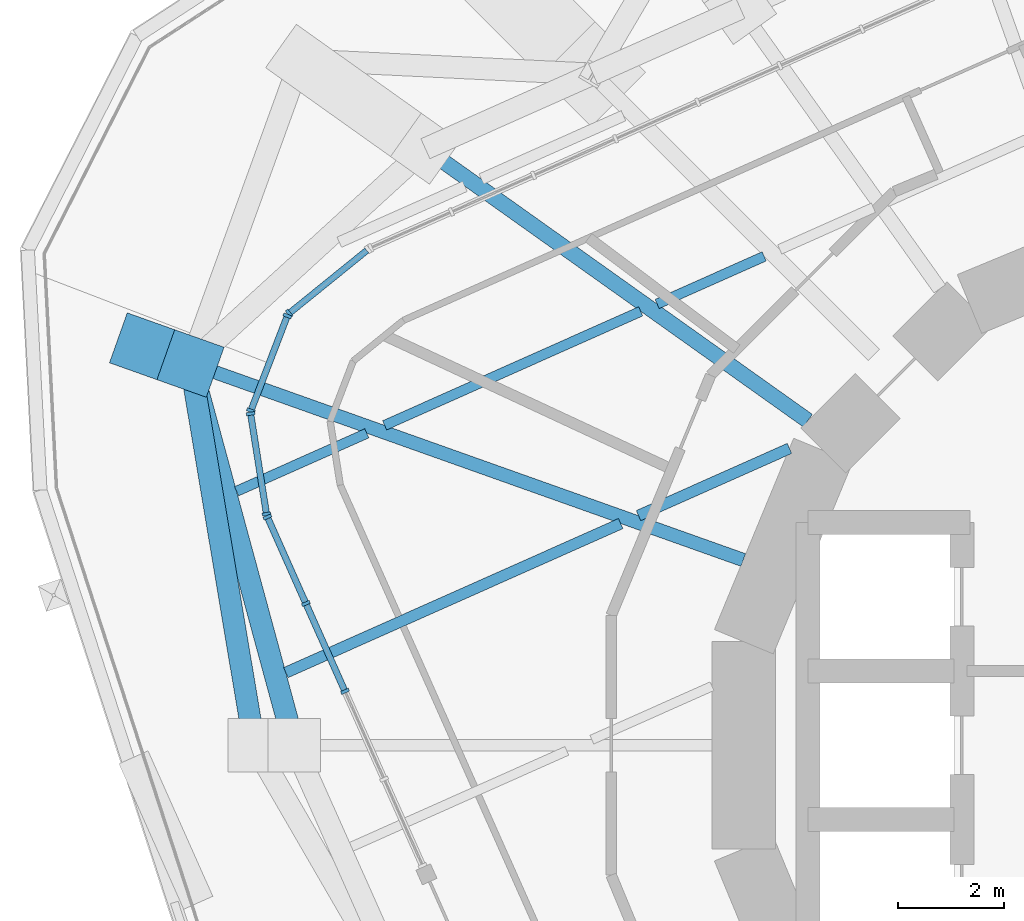
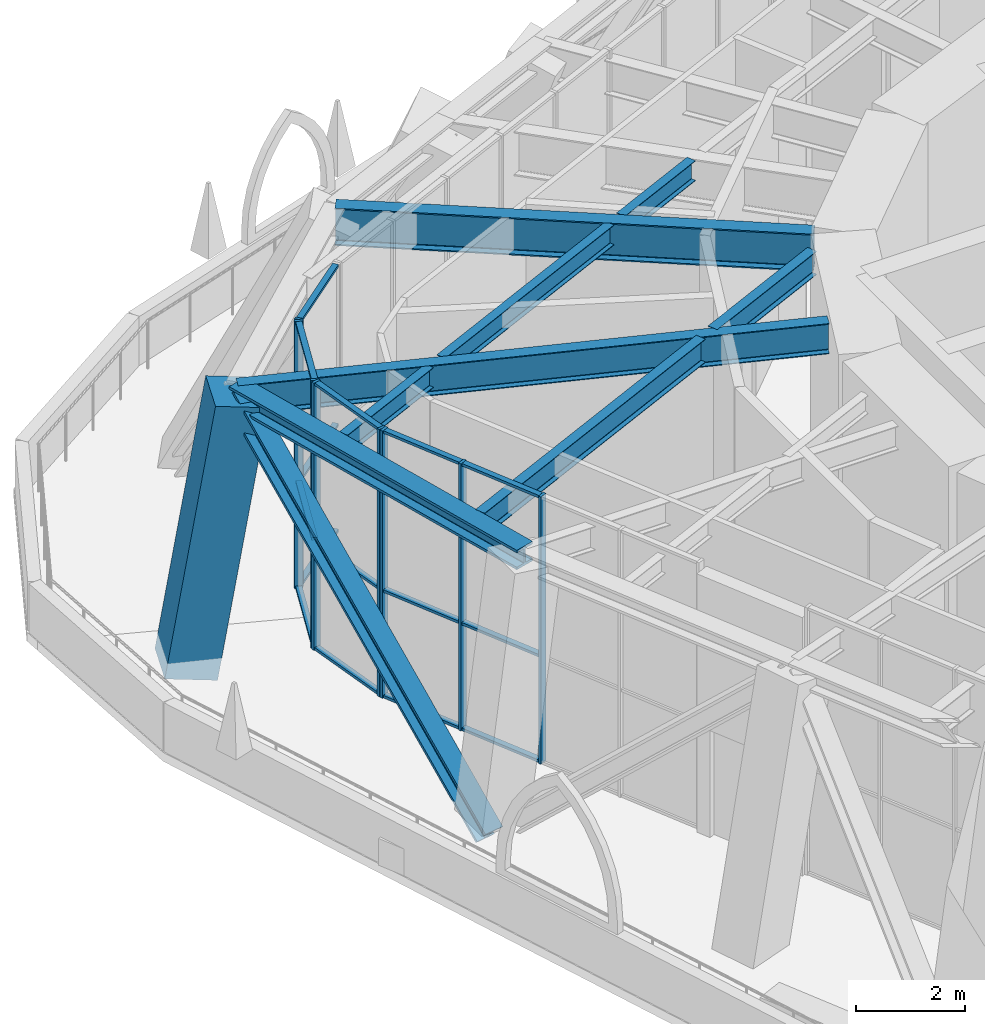
# One storey, part 4 of 18: 26 members, 7 beams, 4 elements without a shape of their own.
"""IFC4 building model written with IfcOpenShell, lengths in metres."""

from ifc_helpers import new_model, si_unit, direction, frame, origin, origin_2d, place, context, subcontext, project, spatial, rectangle, i_section, extrude, material, material_profile, profile_set, type_object, element, aggregate, save


model = new_model("IFC4")

# Units and contexts
model_context = context("Model", 3, precision=1e-05, world=origin(), true_north=direction((0.0, 1.0)))
body_context = subcontext(model_context, "Body", "Model", "MODEL_VIEW")
ifc_project = project(units=[si_unit("LENGTHUNIT", "METRE"), si_unit("AREAUNIT", "SQUARE_METRE"), si_unit("VOLUMEUNIT", "CUBIC_METRE"), si_unit("PLANEANGLEUNIT", "RADIAN"), si_unit("MASSUNIT", "GRAM", prefix="KILO")], contexts=[model_context])

# Site, building, storey
site_placement = place(None, origin())
site = spatial("IfcSite", under=ifc_project, at=site_placement, CompositionType="ELEMENT")
building_placement = place(site_placement, origin())
building = spatial("IfcBuilding", under=site, at=building_placement, Name="Nakasero Lantern House", CompositionType="ELEMENT")
storey_placement = place(building_placement, frame((0.0, 0.0, 176.449951171875)))
storey = spatial("IfcBuildingStorey", under=building, at=storey_placement, Name="L43", CompositionType="ELEMENT", Elevation=176.449951171875)

# Members
ifc_material_1 = material(Name="Steel S355", Category="steel")
ifc_material_profile_1 = material_profile(ifc_material_1, i_section(OverallWidth=0.412109375, OverallDepth=0.4365234375, WebThickness=0.035888671875, FlangeThickness=0.05810546875, FilletRadius=0.01513671875, at=origin_2d()), Name="UC 356x406x467")
ifc_profile_set_1 = profile_set([ifc_material_profile_1], Name="Steel S355")
member_type_1 = type_object("IfcMemberType", Name="Belt truss chord UC 356x406x467", PredefinedType="CHORD", material=ifc_profile_set_1)
member_1_placement = place(storey_placement, frame((-20.2353515625, 7.19482421875, 5.581787109375), z_axis=(0.26219461312, -0.965015017941, 0.0), x_axis=(0.965015017941, 0.26219461312, 0.0)))
element("IfcMember", 1, at=member_1_placement, inside=storey, type_object=member_type_1, Name="Belt truss top chord T4 B5-C14T", PredefinedType="CHORD", context=body_context, shape_type="SweptSolid", body=[
    extrude(i_section(OverallWidth=0.412109375, OverallDepth=0.4365234375, WebThickness=0.035888671875, FlangeThickness=0.05810546875, FilletRadius=0.01513671875, at=origin_2d()), origin(), (0.0, 0.0, 1.0), 7.45556640625),
])
ifc_material_2 = material(Name="Steel S355", Category="steel")
ifc_material_profile_2 = material_profile(ifc_material_2, i_section(OverallWidth=0.412109375, OverallDepth=0.4365234375, WebThickness=0.035888671875, FlangeThickness=0.05810546875, FilletRadius=0.01513671875, at=origin_2d()), Name="UC 356x406x467")
ifc_profile_set_2 = profile_set([ifc_material_profile_2], Name="Steel S355")
member_type_2 = type_object("IfcMemberType", Name="Belt truss diagonal UC 356x406x467", PredefinedType="BRACE", material=ifc_profile_set_2)
member_2_placement = place(storey_placement, frame((-20.2353515625, 7.19482421875, 5.581787109375), z_axis=(0.127454941735, -0.761731318786, -0.635232741448), x_axis=(0.986288797628, 0.165028505636, 0.0)))
element("IfcMember", 2, at=member_2_placement, inside=storey, type_object=member_type_2, Name="Belt truss diagonal T4-14", PredefinedType="BRACE", context=body_context, shape_type="SweptSolid", body=[
    extrude(i_section(OverallWidth=0.412109375, OverallDepth=0.4365234375, WebThickness=0.035888671875, FlangeThickness=0.05810546875, FilletRadius=0.01513671875, at=origin_2d()), origin(), (0.0, 0.0, 1.0), 9.4453125),
])

# Beams
ifc_material_3 = material(Name="Steel S355", Category="steel")
ifc_material_profile_3 = material_profile(ifc_material_3, i_section(OverallWidth=0.18994140625, OverallDepth=0.453369140625, WebThickness=0.008544921875, FlangeThickness=0.0126953125, FilletRadius=0.01025390625, at=origin_2d()), Name="UB 457x191x67")
ifc_profile_set_3 = profile_set([ifc_material_profile_3], Name="Steel S355")
beam_type_1 = type_object("IfcBeamType", Name="Infill beam UB 457x191x67", PredefinedType="JOIST", material=ifc_profile_set_3)
beam_1_placement = place(storey_placement, frame((-19.367431640625, 4.786376953125, 5.5732421875), z_axis=(0.913560273348, 0.406703364826, 0.0), x_axis=(-0.406703364826, 0.913560273348, 0.0)))
element("IfcBeam", 3, at=beam_1_placement, inside=storey, type_object=beam_type_1, Name="Infill beam L44 11.1", PredefinedType="JOIST", context=body_context, shape_type="SweptSolid", body=[
    extrude(i_section(OverallWidth=0.18994140625, OverallDepth=0.453369140625, WebThickness=0.008544921875, FlangeThickness=0.0126953125, FilletRadius=0.01025390625, at=origin_2d()), origin(), (0.0, 0.0, 1.0), 2.686279296875),
])
beam_2_placement = place(storey_placement, frame((-16.5771484375, 6.02880859375, 5.5732421875), z_axis=(0.9135521585, 0.406721592371, 0.0), x_axis=(-0.406721592371, 0.9135521585, 0.0)))
element("IfcBeam", 4, at=beam_2_placement, inside=storey, type_object=beam_type_1, Name="Infill beam L44 11.2", PredefinedType="JOIST", context=body_context, shape_type="SweptSolid", body=[
    extrude(i_section(OverallWidth=0.18994140625, OverallDepth=0.453369140625, WebThickness=0.008544921875, FlangeThickness=0.0126953125, FilletRadius=0.01025390625, at=origin_2d()), origin(), (0.0, 0.0, 1.0), 5.2822265625),
])
beam_3_placement = place(storey_placement, frame((-11.441162109375, 8.3154296875, 5.5732421875), z_axis=(0.913574167695, 0.406672153118, 0.0), x_axis=(-0.406672153118, 0.913574167695, 0.0)))
element("IfcBeam", 5, at=beam_3_placement, inside=storey, type_object=beam_type_1, Name="Infill beam L44 11.3", PredefinedType="JOIST", context=body_context, shape_type="SweptSolid", body=[
    extrude(i_section(OverallWidth=0.18994140625, OverallDepth=0.453369140625, WebThickness=0.008544921875, FlangeThickness=0.0126953125, FilletRadius=0.01025390625, at=origin_2d()), origin(), (0.0, 0.0, 1.0), 2.206787109375),
])
ifc_material_4 = material(Name="Steel S355", Category="steel")
ifc_material_profile_4 = material_profile(ifc_material_4, i_section(OverallWidth=0.208740234375, OverallDepth=0.5283203125, WebThickness=0.009521484375, FlangeThickness=0.01318359375, FilletRadius=0.0126953125, at=origin_2d()), Name="UB 533x210x82")
ifc_profile_set_4 = profile_set([ifc_material_profile_4], Name="Steel S355")
beam_type_2 = type_object("IfcBeamType", Name="Infill beam UB 533x210x82", PredefinedType="JOIST", material=ifc_profile_set_4)
beam_4_placement = place(storey_placement, frame((-18.438720703125, 1.36865234375, 5.535888671875), z_axis=(0.913544608814, 0.40673854957, 0.0), x_axis=(-0.40673854957, 0.913544608814, 0.0)))
element("IfcBeam", 6, at=beam_4_placement, inside=storey, type_object=beam_type_2, Name="Infill beam L44 10.1", PredefinedType="JOIST", context=body_context, shape_type="SweptSolid", body=[
    extrude(i_section(OverallWidth=0.208740234375, OverallDepth=0.5283203125, WebThickness=0.009521484375, FlangeThickness=0.01318359375, FilletRadius=0.0126953125, at=origin_2d()), origin(), (0.0, 0.0, 1.0), 6.906982421875),
])
beam_5_placement = place(storey_placement, frame((-11.792724609375, 4.32763671875, 5.535888671875), z_axis=(0.913555928833, 0.406713123582, 0.0), x_axis=(-0.406713123582, 0.913555928833, 0.0)))
element("IfcBeam", 7, at=beam_5_placement, inside=storey, type_object=beam_type_2, Name="Infill beam L44 10.2", PredefinedType="JOIST", context=body_context, shape_type="SweptSolid", body=[
    extrude(i_section(OverallWidth=0.208740234375, OverallDepth=0.5283203125, WebThickness=0.009521484375, FlangeThickness=0.01318359375, FilletRadius=0.0126953125, at=origin_2d()), origin(), (0.0, 0.0, 1.0), 3.113525390625),
])

# Curtain wall, member
ifc_material_5 = material(Name="Aluminium 6063-T6 and glass", Category="aluminium")
curtain_wall_type = type_object("IfcCurtainWallType", Name="Sky lounge glazing CW-3", PredefinedType="USERDEFINED", material=ifc_material_5)
curtain_wall_1_placement = place(storey_placement, origin())
curtain_wall_1 = element("IfcCurtainWall", 8, at=curtain_wall_1_placement, inside=storey, type_object=curtain_wall_type, Name="Curtain wall CW-3 L43", ObjectType="STICK CURTAIN WALL", PredefinedType="USERDEFINED")
ifc_material_6 = material(Name="Aluminium 6063-T6", Category="aluminium")
ifc_material_profile_5 = material_profile(ifc_material_6, rectangle(XDim=0.06005859375, YDim=0.159912109375, at=origin_2d()), Name="CW-3 mullion 60x160")
ifc_profile_set_5 = profile_set([ifc_material_profile_5], Name="Aluminium 6063-T6")
member_type_3 = type_object("IfcMemberType", Name="Mullion CW-3", PredefinedType="MULLION", material=ifc_profile_set_5)
member_3_placement = place(storey_placement, frame((-18.376708984375, 8.13916015625, 0.0), z_axis=(0.0, 0.0, 1.0), x_axis=(-0.777145961457, -0.62932039105, 0.0)))
member_3 = element("IfcMember", 9, at=member_3_placement, type_object=member_type_3, Name="CW-3 mullion 2", PredefinedType="MULLION", context=body_context, shape_type="SweptSolid", body=[
    extrude(rectangle(XDim=0.06005859375, YDim=0.159912109375, at=origin_2d()), origin(), (0.0, 0.0, 1.0), 6.0),
])

# Curtain wall, members
curtain_wall_2_placement = place(storey_placement, origin())
curtain_wall_2 = element("IfcCurtainWall", 10, at=curtain_wall_2_placement, inside=storey, type_object=curtain_wall_type, Name="Curtain wall CW-3 L43", ObjectType="STICK CURTAIN WALL", PredefinedType="USERDEFINED")
member_4_placement = place(storey_placement, frame((-18.410888671875, 8.09228515625, 0.0), z_axis=(0.0, 0.0, 1.0), x_axis=(-0.358367949545, -0.933580426497, 0.0)))
member_4 = element("IfcMember", 11, at=member_4_placement, type_object=member_type_3, Name="CW-3 mullion 1", PredefinedType="MULLION", context=body_context, shape_type="SweptSolid", body=[
    extrude(rectangle(XDim=0.06005859375, YDim=0.159912109375, at=origin_2d()), origin(), (0.0, 0.0, 1.0), 6.0),
])
member_5_placement = place(storey_placement, frame((-19.0966796875, 6.3056640625, 0.0), z_axis=(0.0, 0.0, 1.0), x_axis=(-0.358367949545, -0.933580426497, 0.0)))
member_5 = element("IfcMember", 12, at=member_5_placement, type_object=member_type_3, Name="CW-3 mullion 2", PredefinedType="MULLION", context=body_context, shape_type="SweptSolid", body=[
    extrude(rectangle(XDim=0.06005859375, YDim=0.159912109375, at=origin_2d()), origin(), (0.0, 0.0, 1.0), 6.0),
])

curtain_wall_3_placement = place(storey_placement, origin())
curtain_wall_3 = element("IfcCurtainWall", 13, at=curtain_wall_3_placement, inside=storey, type_object=curtain_wall_type, Name="Curtain wall CW-3 L43", ObjectType="STICK CURTAIN WALL", PredefinedType="USERDEFINED")
member_6_placement = place(storey_placement, frame((-19.102783203125, 6.247802734375, 0.0), z_axis=(0.0, 0.0, 1.0), x_axis=(0.15643446504, -0.987688340595, 0.0)))
member_6 = element("IfcMember", 14, at=member_6_placement, type_object=member_type_3, Name="CW-3 mullion 1", PredefinedType="MULLION", context=body_context, shape_type="SweptSolid", body=[
    extrude(rectangle(XDim=0.06005859375, YDim=0.159912109375, at=origin_2d()), origin(), (0.0, 0.0, 1.0), 6.0),
])
member_7_placement = place(storey_placement, frame((-18.80322265625, 4.357666015625, 0.0), z_axis=(0.0, 0.0, 1.0), x_axis=(0.15643446504, -0.987688340595, 0.0)))
member_7 = element("IfcMember", 15, at=member_7_placement, type_object=member_type_3, Name="CW-3 mullion 2", PredefinedType="MULLION", context=body_context, shape_type="SweptSolid", body=[
    extrude(rectangle(XDim=0.06005859375, YDim=0.159912109375, at=origin_2d()), origin(), (0.0, 0.0, 1.0), 6.0),
])

curtain_wall_4_placement = place(storey_placement, origin())
curtain_wall_4 = element("IfcCurtainWall", 16, at=curtain_wall_4_placement, inside=storey, type_object=curtain_wall_type, Name="Curtain wall CW-3 L43", ObjectType="STICK CURTAIN WALL", PredefinedType="USERDEFINED")
member_8_placement = place(storey_placement, frame((-18.786376953125, 4.30078125, 0.0), z_axis=(0.0, 0.0, 1.0), x_axis=(0.406736643076, -0.913545457643, 0.0)))
member_8 = element("IfcMember", 17, at=member_8_placement, type_object=member_type_3, Name="CW-3 mullion 1", PredefinedType="MULLION", context=body_context, shape_type="SweptSolid", body=[
    extrude(rectangle(XDim=0.06005859375, YDim=0.159912109375, at=origin_2d()), origin(), (0.0, 0.0, 1.0), 6.0),
])
member_9_placement = place(storey_placement, frame((-18.0615234375, 2.67236328125, 0.0), z_axis=(0.0, 0.0, 1.0), x_axis=(0.406736643076, -0.913545457643, 0.0)))
member_9 = element("IfcMember", 18, at=member_9_placement, type_object=member_type_3, Name="CW-3 mullion 2", PredefinedType="MULLION", context=body_context, shape_type="SweptSolid", body=[
    extrude(rectangle(XDim=0.06005859375, YDim=0.159912109375, at=origin_2d()), origin(), (0.0, 0.0, 1.0), 6.0),
])
member_10_placement = place(storey_placement, frame((-17.32421875, 1.0166015625, 0.0), z_axis=(0.0, 0.0, 1.0), x_axis=(0.406736643076, -0.913545457643, 0.0)))
member_10 = element("IfcMember", 19, at=member_10_placement, type_object=member_type_3, Name="CW-3 mullion 3", PredefinedType="MULLION", context=body_context, shape_type="SweptSolid", body=[
    extrude(rectangle(XDim=0.06005859375, YDim=0.159912109375, at=origin_2d()), origin(), (0.0, 0.0, 1.0), 6.0),
])

# Beams
ifc_material_7 = material(Name="Steel S355", Category="steel")
ifc_material_profile_6 = material_profile(ifc_material_7, i_section(OverallWidth=0.253662109375, OverallDepth=0.68359375, WebThickness=0.012451171875, FlangeThickness=0.01904296875, FilletRadius=0.01513671875, at=origin_2d()), Name="UB 686x254x140")
ifc_profile_set_6 = profile_set([ifc_material_profile_6], Name="Steel S355")
beam_type_3 = type_object("IfcBeamType", Name="Primary beam UB 686x254x140, span 9 to 12 m", PredefinedType="BEAM", material=ifc_profile_set_6)
beam_6_placement = place(storey_placement, frame((-20.2353515625, 7.19482421875, 5.458251953125), z_axis=(0.942210662535, -0.335020995468, 0.0), x_axis=(0.335020995468, 0.942210662535, 0.0)))
element("IfcBeam", 20, at=beam_6_placement, inside=storey, type_object=beam_type_3, Name="Primary beam L44 B5-C14T", PredefinedType="BEAM", context=body_context, shape_type="SweptSolid", body=[
    extrude(i_section(OverallWidth=0.253662109375, OverallDepth=0.68359375, WebThickness=0.012451171875, FlangeThickness=0.01904296875, FilletRadius=0.01513671875, at=origin_2d()), origin(), (0.0, 0.0, 1.0), 11.054931640625),
])
ifc_material_8 = material(Name="Steel S355", Category="steel")
ifc_material_profile_7 = material_profile(ifc_material_8, i_section(OverallWidth=0.29248046875, OverallDepth=0.8408203125, WebThickness=0.0146484375, FlangeThickness=0.02685546875, FilletRadius=0.017822265625, at=origin_2d()), Name="UB 838x292x194")
ifc_profile_set_7 = profile_set([ifc_material_profile_7], Name="Steel S355")
beam_type_4 = type_object("IfcBeamType", Name="Primary beam UB 838x292x194, span 6 to 9 m", PredefinedType="BEAM", material=ifc_profile_set_7)
beam_7_placement = place(storey_placement, frame((-15.808837890625, 11.241943359375, 5.379638671875), z_axis=(0.814946052543, -0.579536824926, 0.0), x_axis=(0.579536824926, 0.814946052543, 0.0)))
element("IfcBeam", 21, at=beam_7_placement, inside=storey, type_object=beam_type_4, Name="Primary beam L44 B5-C13T", PredefinedType="BEAM", context=body_context, shape_type="SweptSolid", body=[
    extrude(i_section(OverallWidth=0.29248046875, OverallDepth=0.8408203125, WebThickness=0.0146484375, FlangeThickness=0.02685546875, FilletRadius=0.017822265625, at=origin_2d()), origin(), (0.0, 0.0, 1.0), 8.84326171875),
])

# Member
ifc_material_9 = material(Name="Concrete C50/60", Category="concrete")
ifc_material_profile_8 = material_profile(ifc_material_9, rectangle(XDim=1.0, YDim=1.0, at=origin_2d()), Name="RC 1000x1000")
ifc_profile_set_8 = profile_set([ifc_material_profile_8], Name="Concrete C50/60")
member_type_4 = type_object("IfcMemberType", Name="Raking column RC 1000x1000 C50/60", PredefinedType="STRUT", material=ifc_profile_set_8)
member_11_placement = place(storey_placement, frame((-21.129638671875, 7.5126953125, -0.418212890625), z_axis=(0.147217395485, -0.052327886683, 0.987719003939), x_axis=(0.334918320476, 0.942247164288, 0.0)))
element("IfcMember", 22, at=member_11_placement, inside=storey, type_object=member_type_4, Name="Raking column B5-C14T L43", PredefinedType="STRUT", context=body_context, shape_type="SweptSolid", body=[
    extrude(rectangle(XDim=1.0, YDim=1.0, at=origin_2d()), origin(), (0.0, 0.0, 1.0), 6.07470703125),
])

ifc_material_10 = material(Name="Aluminium 6063-T6", Category="aluminium")
ifc_material_profile_9 = material_profile(ifc_material_10, rectangle(XDim=0.06005859375, YDim=0.1201171875, at=origin_2d()), Name="CW-3 transom 60x120")
ifc_profile_set_9 = profile_set([ifc_material_profile_9], Name="Aluminium 6063-T6")
member_type_5 = type_object("IfcMemberType", Name="Transom CW-3", PredefinedType="USERDEFINED", material=ifc_profile_set_9)
member_12_placement = place(storey_placement, frame((-16.912841796875, 9.324462890625, 0.030029296875), z_axis=(-0.777180458368, -0.629277788525, 0.0), x_axis=(0.0, 0.0, 1.0)))
member_12 = element("IfcMember", 23, at=member_12_placement, type_object=member_type_5, Name="CW-3 transom 1.1", ObjectType="TRANSOM", PredefinedType="USERDEFINED", context=body_context, shape_type="SweptSolid", body=[
    extrude(rectangle(XDim=0.06005859375, YDim=0.1201171875, at=origin_2d()), origin(), (0.0, 0.0, 1.0), 1.853759765625),
])

member_13_placement = place(storey_placement, frame((-16.912841796875, 9.324462890625, 2.400146484375), z_axis=(-0.777180458368, -0.629277788525, 0.0), x_axis=(0.0, 0.0, 1.0)))
member_13 = element("IfcMember", 24, at=member_13_placement, type_object=member_type_5, Name="CW-3 transom 1.2", ObjectType="TRANSOM", PredefinedType="USERDEFINED", context=body_context, shape_type="SweptSolid", body=[
    extrude(rectangle(XDim=0.06005859375, YDim=0.1201171875, at=origin_2d()), origin(), (0.0, 0.0, 1.0), 1.853759765625),
])

member_14_placement = place(storey_placement, frame((-16.912841796875, 9.324462890625, 5.969970703125), z_axis=(-0.777180458368, -0.629277788525, 0.0), x_axis=(0.0, 0.0, 1.0)))
member_14 = element("IfcMember", 25, at=member_14_placement, type_object=member_type_5, Name="CW-3 transom 1.3", ObjectType="TRANSOM", PredefinedType="USERDEFINED", context=body_context, shape_type="SweptSolid", body=[
    extrude(rectangle(XDim=0.06005859375, YDim=0.1201171875, at=origin_2d()), origin(), (0.0, 0.0, 1.0), 1.853759765625),
])

aggregate(curtain_wall_1, [member_3, member_12, member_13, member_14])

member_15_placement = place(storey_placement, frame((-18.421630859375, 8.064208984375, 0.030029296875), z_axis=(-0.358343599024, -0.933589773422, 0.0), x_axis=(0.0, 0.0, 1.0)))
member_15 = element("IfcMember", 26, at=member_15_placement, type_object=member_type_5, Name="CW-3 transom 1.1", ObjectType="TRANSOM", PredefinedType="USERDEFINED", context=body_context, shape_type="SweptSolid", body=[
    extrude(rectangle(XDim=0.06005859375, YDim=0.1201171875, at=origin_2d()), origin(), (0.0, 0.0, 1.0), 1.853759765625),
])

member_16_placement = place(storey_placement, frame((-18.421630859375, 8.064208984375, 2.400146484375), z_axis=(-0.358343599024, -0.933589773422, 0.0), x_axis=(0.0, 0.0, 1.0)))
member_16 = element("IfcMember", 27, at=member_16_placement, type_object=member_type_5, Name="CW-3 transom 1.2", ObjectType="TRANSOM", PredefinedType="USERDEFINED", context=body_context, shape_type="SweptSolid", body=[
    extrude(rectangle(XDim=0.06005859375, YDim=0.1201171875, at=origin_2d()), origin(), (0.0, 0.0, 1.0), 1.853759765625),
])

member_17_placement = place(storey_placement, frame((-18.421630859375, 8.064208984375, 5.969970703125), z_axis=(-0.358343599024, -0.933589773422, 0.0), x_axis=(0.0, 0.0, 1.0)))
member_17 = element("IfcMember", 28, at=member_17_placement, type_object=member_type_5, Name="CW-3 transom 1.3", ObjectType="TRANSOM", PredefinedType="USERDEFINED", context=body_context, shape_type="SweptSolid", body=[
    extrude(rectangle(XDim=0.06005859375, YDim=0.1201171875, at=origin_2d()), origin(), (0.0, 0.0, 1.0), 1.853759765625),
])

aggregate(curtain_wall_2, [member_4, member_5, member_15, member_16, member_17])

member_18_placement = place(storey_placement, frame((-19.097900390625, 6.21826171875, 0.030029296875), z_axis=(0.156341321008, -0.987703088658, 0.0), x_axis=(0.0, 0.0, 1.0)))
member_18 = element("IfcMember", 29, at=member_18_placement, type_object=member_type_5, Name="CW-3 transom 1.1", ObjectType="TRANSOM", PredefinedType="USERDEFINED", context=body_context, shape_type="SweptSolid", body=[
    extrude(rectangle(XDim=0.06005859375, YDim=0.1201171875, at=origin_2d()), origin(), (0.0, 0.0, 1.0), 1.853515625),
])

member_19_placement = place(storey_placement, frame((-19.097900390625, 6.21826171875, 2.400146484375), z_axis=(0.156341321008, -0.987703088658, 0.0), x_axis=(0.0, 0.0, 1.0)))
member_19 = element("IfcMember", 30, at=member_19_placement, type_object=member_type_5, Name="CW-3 transom 1.2", ObjectType="TRANSOM", PredefinedType="USERDEFINED", context=body_context, shape_type="SweptSolid", body=[
    extrude(rectangle(XDim=0.06005859375, YDim=0.1201171875, at=origin_2d()), origin(), (0.0, 0.0, 1.0), 1.853515625),
])

member_20_placement = place(storey_placement, frame((-19.097900390625, 6.21826171875, 5.969970703125), z_axis=(0.156341321008, -0.987703088658, 0.0), x_axis=(0.0, 0.0, 1.0)))
member_20 = element("IfcMember", 31, at=member_20_placement, type_object=member_type_5, Name="CW-3 transom 1.3", ObjectType="TRANSOM", PredefinedType="USERDEFINED", context=body_context, shape_type="SweptSolid", body=[
    extrude(rectangle(XDim=0.06005859375, YDim=0.1201171875, at=origin_2d()), origin(), (0.0, 0.0, 1.0), 1.853515625),
])

aggregate(curtain_wall_3, [member_6, member_7, member_18, member_19, member_20])

member_21_placement = place(storey_placement, frame((-18.774169921875, 4.273193359375, 0.030029296875), z_axis=(0.406677625737, -0.913571731571, 0.0), x_axis=(0.0, 0.0, 1.0)))
member_21 = element("IfcMember", 32, at=member_21_placement, type_object=member_type_5, Name="CW-3 transom 1.1", ObjectType="TRANSOM", PredefinedType="USERDEFINED", context=body_context, shape_type="SweptSolid", body=[
    extrude(rectangle(XDim=0.06005859375, YDim=0.1201171875, at=origin_2d()), origin(), (0.0, 0.0, 1.0), 1.722412109375),
])

member_22_placement = place(storey_placement, frame((-18.774169921875, 4.273193359375, 2.400146484375), z_axis=(0.406677625737, -0.913571731571, 0.0), x_axis=(0.0, 0.0, 1.0)))
member_22 = element("IfcMember", 33, at=member_22_placement, type_object=member_type_5, Name="CW-3 transom 1.2", ObjectType="TRANSOM", PredefinedType="USERDEFINED", context=body_context, shape_type="SweptSolid", body=[
    extrude(rectangle(XDim=0.06005859375, YDim=0.1201171875, at=origin_2d()), origin(), (0.0, 0.0, 1.0), 1.722412109375),
])

member_23_placement = place(storey_placement, frame((-18.774169921875, 4.273193359375, 5.969970703125), z_axis=(0.406677625737, -0.913571731571, 0.0), x_axis=(0.0, 0.0, 1.0)))
member_23 = element("IfcMember", 34, at=member_23_placement, type_object=member_type_5, Name="CW-3 transom 1.3", ObjectType="TRANSOM", PredefinedType="USERDEFINED", context=body_context, shape_type="SweptSolid", body=[
    extrude(rectangle(XDim=0.06005859375, YDim=0.1201171875, at=origin_2d()), origin(), (0.0, 0.0, 1.0), 1.722412109375),
])

member_24_placement = place(storey_placement, frame((-18.04931640625, 2.644775390625, 0.030029296875), z_axis=(0.406810532882, -0.913512556201, 0.0), x_axis=(0.0, 0.0, 1.0)))
member_24 = element("IfcMember", 35, at=member_24_placement, type_object=member_type_5, Name="CW-3 transom 2.1", ObjectType="TRANSOM", PredefinedType="USERDEFINED", context=body_context, shape_type="SweptSolid", body=[
    extrude(rectangle(XDim=0.06005859375, YDim=0.1201171875, at=origin_2d()), origin(), (0.0, 0.0, 1.0), 1.75244140625),
])

member_25_placement = place(storey_placement, frame((-18.04931640625, 2.644775390625, 2.400146484375), z_axis=(0.406810532882, -0.913512556201, 0.0), x_axis=(0.0, 0.0, 1.0)))
member_25 = element("IfcMember", 36, at=member_25_placement, type_object=member_type_5, Name="CW-3 transom 2.2", ObjectType="TRANSOM", PredefinedType="USERDEFINED", context=body_context, shape_type="SweptSolid", body=[
    extrude(rectangle(XDim=0.06005859375, YDim=0.1201171875, at=origin_2d()), origin(), (0.0, 0.0, 1.0), 1.75244140625),
])

member_26_placement = place(storey_placement, frame((-18.04931640625, 2.644775390625, 5.969970703125), z_axis=(0.406810532882, -0.913512556201, 0.0), x_axis=(0.0, 0.0, 1.0)))
member_26 = element("IfcMember", 37, at=member_26_placement, type_object=member_type_5, Name="CW-3 transom 2.3", ObjectType="TRANSOM", PredefinedType="USERDEFINED", context=body_context, shape_type="SweptSolid", body=[
    extrude(rectangle(XDim=0.06005859375, YDim=0.1201171875, at=origin_2d()), origin(), (0.0, 0.0, 1.0), 1.75244140625),
])

aggregate(curtain_wall_4, [member_8, member_9, member_10, member_21, member_22, member_23, member_24, member_25, member_26])

save(model, "model.ifc")
